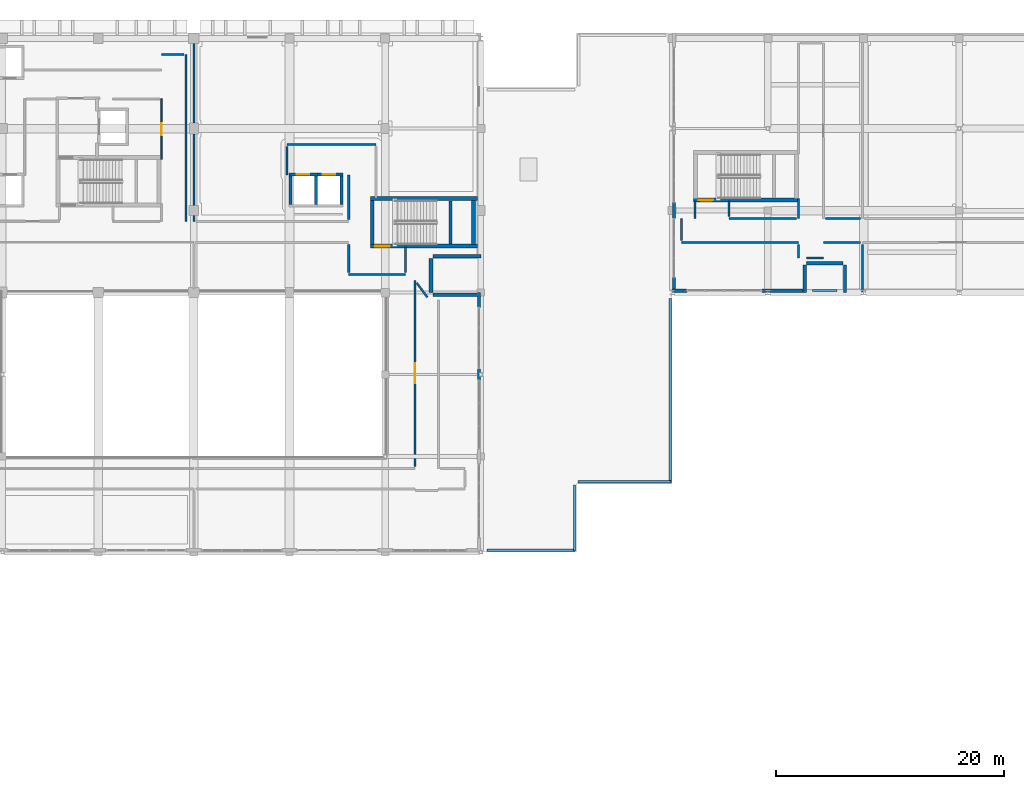
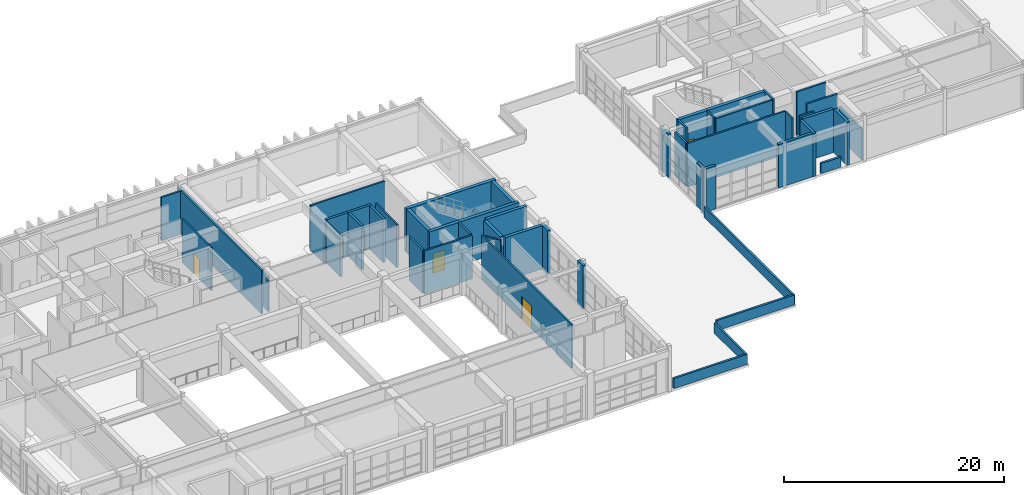
# One storey, part 65 of 78: 51 walls, 6 doors, 6 openings.
"""IFC4 building model written with IfcOpenShell, lengths in metres."""

import ifcopenshell
import ifcopenshell.guid

model = None  # the IFC model being written
_history = None  # IfcOwnerHistory: only IFC2X3 demands one
_inside = {}  # id of a spatial element -> (the spatial element, [elements in it])
_under = {}  # id of a project, library or spatial element -> (it, [spatial elements below it])
_declared = {}  # id of a project -> (the project, [libraries it declares])
_typed = {}  # id of a type object -> (the type object, [elements of that type])
_made_of = {}  # id of a material, layer set ... -> (it, [elements and type objects made of it])


def new_model(schema):
    """Start an empty IFC model of exactly this schema.

    Asked for "IFC4X3", IfcOpenShell would pick the latest addendum, in which some entities
    have other attributes; the version numbers below select the first issue.
    IFC2X3 requires an IfcOwnerHistory on every rooted entity: one is made here for all.
    """
    global model, _history
    if schema == "IFC4X3":
        model = ifcopenshell.file(schema_version=(4, 3, 0, 0))
    else:
        model = ifcopenshell.file(schema=schema)
    _inside.clear()
    _under.clear()
    _declared.clear()
    _typed.clear()
    _made_of.clear()
    _history = None
    if model.schema == "IFC2X3":
        org = make("IfcOrganization", Name="unknown")
        user = make(
            "IfcPersonAndOrganization",
            ThePerson=make("IfcPerson", FamilyName="unknown"),
            TheOrganization=org,
        )
        app = make(
            "IfcApplication",
            ApplicationDeveloper=org,
            Version="unknown",
            ApplicationFullName="unknown",
            ApplicationIdentifier="unknown",
        )
        _history = make(
            "IfcOwnerHistory",
            OwningUser=user,
            OwningApplication=app,
            ChangeAction="ADDED",
            CreationDate=0,
        )
    return model


def make(cls, **values):
    """One entity of the class cls with the attributes given. An attribute that is None is left unset."""
    return model.create_entity(
        cls, **{name: value for name, value in values.items() if value is not None}
    )


def rooted(cls, **values):
    """An entity with a GlobalId (a new one), such as an element, a storey or a relation."""
    return make(cls, GlobalId=ifcopenshell.guid.new(), OwnerHistory=_history, **values)


def si_unit(unit_type, name, prefix=None):
    """IfcSIUnit, for example si_unit("LENGTHUNIT", "METRE", prefix="MILLI")."""
    return make("IfcSIUnit", UnitType=unit_type, Prefix=prefix, Name=name)


def assignment(units):
    """IfcUnitAssignment: the units of a project."""
    return None if units is None else make("IfcUnitAssignment", Units=units)


def point(xyz):
    """IfcCartesianPoint."""
    return None if xyz is None else make("IfcCartesianPoint", Coordinates=xyz)


def direction(xyz):
    """IfcDirection."""
    return None if xyz is None else make("IfcDirection", DirectionRatios=xyz)


def frame(location, z_axis=None, x_axis=None):
    """IfcAxis2Placement3D, a coordinate frame: its origin and axes. An axis left out is left unset."""
    return make(
        "IfcAxis2Placement3D",
        Location=point(location),
        Axis=direction(z_axis),
        RefDirection=direction(x_axis),
    )


def frame_2d(location, x_axis=None):
    """IfcAxis2Placement2D, a coordinate frame in the plane: its origin and x axis."""
    return make(
        "IfcAxis2Placement2D", Location=point(location), RefDirection=direction(x_axis)
    )


def origin():
    """The frame at (0, 0, 0) with its axes left unset."""
    return frame((0.0, 0.0, 0.0))


def place(relative_to, where):
    """IfcLocalPlacement: puts the frame where relative to a parent placement (None: the world)."""
    return make(
        "IfcLocalPlacement", PlacementRelTo=relative_to, RelativePlacement=where
    )


def context(
    kind, dimensions, precision=None, world=None, true_north=None, identifier=None
):
    """IfcGeometricRepresentationContext, for example the 3D "Model" context."""
    return make(
        "IfcGeometricRepresentationContext",
        ContextIdentifier=identifier,
        ContextType=kind,
        CoordinateSpaceDimension=dimensions,
        Precision=precision,
        WorldCoordinateSystem=world,
        TrueNorth=true_north,
    )


def subcontext(parent, identifier, kind, view, scale=None):
    """IfcGeometricRepresentationSubContext, for example "Body" below "Model"."""
    return make(
        "IfcGeometricRepresentationSubContext",
        ContextIdentifier=identifier,
        ContextType=kind,
        ParentContext=parent,
        TargetScale=scale,
        TargetView=view,
    )


def project(units=None, contexts=None):
    """IfcProject with its units and contexts."""
    return rooted(
        "IfcProject",
        Name="project",
        RepresentationContexts=contexts,
        UnitsInContext=assignment(units),
    )


def spatial(cls, under=None, at=None, **own):
    """A site, building, storey or space (cls), placed at a placement, below another one or the project."""
    s = rooted(cls, ObjectPlacement=at, **own)
    if under is not None:
        _under.setdefault(under.id(), (under, []))[1].append(s)
    return s


def profile(cls, at=None, kind="AREA", **sizes):
    """A parametric profile (cls). Its sizes go by their IFC names, for example OverallWidth=200.0."""
    return make(cls, ProfileType=kind, Position=at, **sizes)


def rectangle(**sizes):
    """IfcRectangleProfileDef."""
    return profile("IfcRectangleProfileDef", **sizes)


def extrude(swept, where, along, depth):
    """IfcExtrudedAreaSolid: the profile swept, set in the frame where, extruded along a direction by depth."""
    return make(
        "IfcExtrudedAreaSolid",
        SweptArea=swept,
        Position=where,
        ExtrudedDirection=direction(along),
        Depth=depth,
    )


def shape(context_of_items, identifier, shape_type, items):
    """IfcShapeRepresentation: the items that make up one representation, for example the "Body"."""
    return make(
        "IfcShapeRepresentation",
        ContextOfItems=context_of_items,
        RepresentationIdentifier=identifier,
        RepresentationType=shape_type,
        Items=items,
    )


def material(Name=None, Category=None):
    """IfcMaterial."""
    return make("IfcMaterial", Name=Name, Category=Category)


def layer(
    of_material, thickness, ventilated=None, Name=None, Category=None, Priority=None
):
    """IfcMaterialLayer: one layer of a wall or slab, of a material (None: an air gap)."""
    return make(
        "IfcMaterialLayer",
        Material=of_material,
        LayerThickness=thickness,
        IsVentilated=ventilated,
        Name=Name,
        Category=Category,
        Priority=Priority,
    )


def layer_set(layers, Name=None):
    """IfcMaterialLayerSet."""
    return make("IfcMaterialLayerSet", MaterialLayers=layers, LayerSetName=Name)


def made_of(thing, what):
    """Note that an element or type object is made of a material, layer set ...; save() writes the relation."""
    if what is not None:
        _made_of.setdefault(what.id(), (what, []))[1].append(thing)
    return thing


def type_object(cls, material=None, **own):
    """A type object (cls), such as IfcWallType, which elements share."""
    return made_of(rooted(cls, **own), material)


def element(
    cls,
    number,
    at=None,
    inside=None,
    cuts=None,
    type_object=None,
    material=None,
    context=None,
    identifier="Body",
    shape_type=None,
    held_by="IfcProductDefinitionShape",
    body=None,
    shapes=None,
    **own,
):
    """One element of the class cls, such as IfcWall. Its Tag is "e" and its number.

    at: its placement. inside: the storey or other place that contains it. cuts: it is an
    opening in that element (IfcRelVoidsElement). A single representation is given by context,
    identifier, shape_type and body (its items); several are given by shapes. held_by: the class
    of the entity that holds the representations. save() writes the other relations.
    """
    e = rooted(cls, Tag="e%d" % number, ObjectPlacement=at, **own)
    if body is not None:
        shapes = [shape(context, identifier, shape_type, body)]
    if shapes is not None:
        e.Representation = make(held_by, Representations=shapes)
    if inside is not None:
        _inside.setdefault(inside.id(), (inside, []))[1].append(e)
    if cuts is not None:
        rooted(
            "IfcRelVoidsElement", RelatingBuildingElement=cuts, RelatedOpeningElement=e
        )
    if type_object is not None:
        _typed.setdefault(type_object.id(), (type_object, []))[1].append(e)
    return made_of(e, material)


def fill(opening, filler):
    """IfcRelFillsElement: the door or window that sits in an opening."""
    return rooted(
        "IfcRelFillsElement",
        RelatingOpeningElement=opening,
        RelatedBuildingElement=filler,
    )


def aggregate(whole, parts):
    """IfcRelAggregates: a whole, such as a stair, and the parts it consists of."""
    return rooted("IfcRelAggregates", RelatingObject=whole, RelatedObjects=parts)


def save(model, path):
    """Write the relations noted so far, then the file.

    IfcRelAggregates (storeys below a building ...), IfcRelContainedInSpatialStructure (elements
    in a storey), IfcRelDefinesByType, IfcRelAssociatesMaterial and IfcRelDeclares: one each for
    every whole, place, type object, material and project.
    """
    for whole, parts in _under.values():
        aggregate(whole, parts)
    for where, things in _inside.values():
        rooted(
            "IfcRelContainedInSpatialStructure",
            RelatedElements=things,
            RelatingStructure=where,
        )
    for kind, things in _typed.values():
        rooted("IfcRelDefinesByType", RelatedObjects=things, RelatingType=kind)
    for what, things in _made_of.values():
        rooted("IfcRelAssociatesMaterial", RelatedObjects=things, RelatingMaterial=what)
    for by, libraries in _declared.values():
        rooted("IfcRelDeclares", RelatingContext=by, RelatedDefinitions=libraries)
    model.write(path)


model = new_model("IFC4")

# Units and contexts
model_context = context("Model", 3, precision=1e-05, world=origin(), true_north=direction((0.0, 1.0)))
body_context = subcontext(model_context, "Body", "Model", "MODEL_VIEW")
ifc_project = project(units=[si_unit("LENGTHUNIT", "METRE"), si_unit("AREAUNIT", "SQUARE_METRE"), si_unit("VOLUMEUNIT", "CUBIC_METRE"), si_unit("PLANEANGLEUNIT", "RADIAN"), si_unit("MASSUNIT", "GRAM", prefix="KILO")], contexts=[model_context])

# Site, building, storey
site_placement = place(None, origin())
site = spatial("IfcSite", under=ifc_project, at=site_placement, CompositionType="ELEMENT")
building_placement = place(site_placement, origin())
building = spatial("IfcBuilding", under=site, at=building_placement, Name="Quendrovan Civic Courthouse", CompositionType="ELEMENT")
storey_placement = place(building_placement, frame((0.0, 0.0, 10.199951171875)))
storey = spatial("IfcBuildingStorey", under=building, at=storey_placement, Name="L03", CompositionType="ELEMENT", Elevation=10.199951171875)

# Wall, opening, door
ifc_material_1 = material(Name="Acoustic gypsum stud partition")
ifc_layer_1 = layer(ifc_material_1, 0.139892578125, Name="Acoustic gypsum stud partition")
ifc_layer_set_1 = layer_set([ifc_layer_1], Name="Acoustic gypsum stud partition")
wall_type_1 = type_object("IfcWallType", Name="WL-CHM-140", PredefinedType="PARTITIONING", material=ifc_layer_set_1)
wall_1_placement = place(storey_placement, frame((64.35009765625, 104.60009765625, 0.0), z_axis=(0.0, 0.0, 1.0), x_axis=(0.0, -1.0, 0.0)))
wall_1 = element("IfcWall", 1, at=wall_1_placement, inside=storey, type_object=wall_type_1, Name="L03 Judges' Chambers Suite Partition 0455", PredefinedType="PARTITIONING", context=body_context, shape_type="SweptSolid", body=[
    extrude(rectangle(XDim=5.300048828125, YDim=0.139892578125, at=frame_2d((2.64990234375, 0.0))), origin(), (0.0, 0.0, 1.0), 4.820068359375),
])
opening_1_placement = place(wall_1_placement, frame((2.1298828125, 0.0, 0.0)))
opening_1 = element("IfcOpeningElement", 2, at=opening_1_placement, cuts=wall_1, Name="Opening D-L03-074", PredefinedType="OPENING", context=body_context, shape_type="SweptSolid", body=[
    extrude(rectangle(XDim=1.0400390625, YDim=2.260009765625, at=frame_2d((0.52001953125, 1.1298828125))), frame((0.0, 0.080078125, 0.0), z_axis=(0.0, -1.0, 0.0), x_axis=(1.0, 0.0, 0.0)), (0.0, 0.0, 1.0), 0.159912109375),
])
ifc_material_2 = material(Name="Solid Western Red Cedar timber door", Category="wood")
door_type_1 = type_object("IfcDoorType", Name="DR-CHM-1040", OperationType="NOTDEFINED", PredefinedType="DOOR", material=ifc_material_2)
door_1_placement = place(opening_1_placement, origin())
door_1 = element("IfcDoor", 3, at=door_1_placement, inside=storey, type_object=door_type_1, Name="L03 Judges' Chambers Suite Door D-L03-074", OperationType="SINGLE_SWING_LEFT", OverallHeight=2.260009765625, OverallWidth=1.0400390625, PredefinedType="DOOR", context=body_context, shape_type="SweptSolid", body=[
    extrude(rectangle(XDim=1.0400390625, YDim=2.260009765625, at=frame_2d((0.52001953125, 1.1298828125))), frame((0.0, 0.02490234375, 0.0), z_axis=(0.0, -1.0, 0.0), x_axis=(1.0, 0.0, 0.0)), (0.0, 0.0, 1.0), 0.050048828125),
])
fill(opening_1, door_1)

ifc_material_3 = material(Name="Concrete C45/55", Category="concrete")
ifc_layer_2 = layer(ifc_material_3, 0.35009765625, Name="Concrete C45/55")
ifc_layer_set_2 = layer_set([ifc_layer_2], Name="Concrete C45/55")
wall_type_2 = type_object("IfcWallType", Name="WL-CORE-350", PredefinedType="SHEAR", material=ifc_layer_set_2)
wall_2_placement = place(storey_placement, frame((82.68994140625, 91.6650390625, 0.0), z_axis=(0.0, 0.0, 1.0), x_axis=(1.0, 0.0, 0.0)))
wall_2 = element("IfcWall", 4, at=wall_2_placement, inside=storey, type_object=wall_type_2, Name="L03 Core Shear Wall ST3-S", PredefinedType="SHEAR", context=body_context, shape_type="SweptSolid", body=[
    extrude(rectangle(XDim=9.41015625, YDim=0.35009765625, at=frame_2d((4.705078125, 0.0))), origin(), (0.0, 0.0, 1.0), 4.820068359375),
])
opening_2_placement = place(wall_2_placement, frame((0.449951171875, 0.0, 0.0)))
opening_2 = element("IfcOpeningElement", 5, at=opening_2_placement, cuts=wall_2, Name="Opening DS-ST3-L03", PredefinedType="OPENING", context=body_context, shape_type="SweptSolid", body=[
    extrude(rectangle(XDim=1.25, YDim=2.199951171875, at=frame_2d((0.625, 1.10009765625))), frame((0.0, 0.18505859375, 0.0), z_axis=(0.0, -1.0, 0.0), x_axis=(1.0, 0.0, 0.0)), (0.0, 0.0, 1.0), 0.3701171875),
])
ifc_material_4 = material(Name="Painted galvanized hollow-metal steel", Category="steel")
door_type_2 = type_object("IfcDoorType", Name="DR-STAIR-1250", OperationType="NOTDEFINED", PredefinedType="DOOR", material=ifc_material_4)
door_2_placement = place(opening_2_placement, origin())
door_2 = element("IfcDoor", 6, at=door_2_placement, inside=storey, type_object=door_type_2, Name="L03 Exit Stair ST3 Fire Door", OperationType="SINGLE_SWING_LEFT", OverallHeight=2.199951171875, OverallWidth=1.25, PredefinedType="DOOR", context=body_context, shape_type="SweptSolid", body=[
    extrude(rectangle(XDim=1.25, YDim=2.199951171875, at=frame_2d((0.625, 1.10009765625))), frame((0.0, 0.02490234375, 0.0), z_axis=(0.0, -1.0, 0.0), x_axis=(1.0, 0.0, 0.0)), (0.0, 0.0, 1.0), 0.050048828125),
])
fill(opening_2, door_2)

# Walls
wall_3_placement = place(storey_placement, frame((92.10009765625, 95.8349609375, 0.0), z_axis=(0.0, 0.0, 1.0), x_axis=(-1.0, 0.0, 0.0)))
element("IfcWall", 7, at=wall_3_placement, inside=storey, type_object=wall_type_2, Name="L03 Core Shear Wall ST3-N", PredefinedType="SHEAR", context=body_context, shape_type="SweptSolid", body=[
    extrude(rectangle(XDim=9.41015625, YDim=0.35009765625, at=frame_2d((4.705078125, 0.0))), origin(), (0.0, 0.0, 1.0), 4.820068359375),
])
for number, where, z_axis, x_axis, name in (
    (8, (82.864990234375, 91.800048828125, 0.0), (0.0, 0.0, 1.0), (0.0, 1.0, 0.0), "L03 Core Shear Wall ST3-W"),
    (9, (91.735107421875, 95.699951171875, 0.0), (0.0, 0.0, 1.0), (0.0, -1.0, 0.0), "L03 Core Shear Wall ST3-E"),
):
    element("IfcWall", number, at=place(storey_placement, frame(where, z_axis=z_axis, x_axis=x_axis)), inside=storey, type_object=wall_type_2, Name=name, PredefinedType="SHEAR", context=body_context, shape_type="SweptSolid", body=[
        extrude(rectangle(XDim=3.89990234375, YDim=0.35009765625, at=frame_2d((1.949951171875, 0.0))), origin(), (0.0, 0.0, 1.0), 4.820068359375),
    ])

# Wall, opening, door
wall_4_placement = place(storey_placement, frame((111.090087890625, 95.715087890625, 0.0), z_axis=(0.0, 0.0, 1.0), x_axis=(1.0, 0.0, 0.0)))
wall_4 = element("IfcWall", 10, at=wall_4_placement, inside=storey, type_object=wall_type_2, Name="L03 Core Shear Wall ST6-S", PredefinedType="SHEAR", context=body_context, shape_type="SweptSolid", body=[
    extrude(rectangle(XDim=9.219970703125, YDim=0.35009765625, at=frame_2d((4.60986328125, 0.0))), origin(), (0.0, 0.0, 1.0), 4.820068359375),
])
opening_3_placement = place(wall_4_placement, frame((0.449951171875, 0.0, 0.0)))
opening_3 = element("IfcOpeningElement", 11, at=opening_3_placement, cuts=wall_4, Name="Opening DS-ST6-L03", PredefinedType="OPENING", context=body_context, shape_type="SweptSolid", body=[
    extrude(rectangle(XDim=1.25, YDim=2.199951171875, at=frame_2d((0.625, 1.10009765625))), frame((0.0, 0.18505859375, 0.0), z_axis=(0.0, -1.0, 0.0), x_axis=(1.0, 0.0, 0.0)), (0.0, 0.0, 1.0), 0.3701171875),
])
door_3_placement = place(opening_3_placement, origin())
door_3 = element("IfcDoor", 12, at=door_3_placement, inside=storey, type_object=door_type_2, Name="L03 Exit Stair ST6 Fire Door", OperationType="SINGLE_SWING_LEFT", OverallHeight=2.199951171875, OverallWidth=1.25, PredefinedType="DOOR", context=body_context, shape_type="SweptSolid", body=[
    extrude(rectangle(XDim=1.25, YDim=2.199951171875, at=frame_2d((0.625, 1.10009765625))), frame((0.0, 0.02490234375, 0.0), z_axis=(0.0, -1.0, 0.0), x_axis=(1.0, 0.0, 0.0)), (0.0, 0.0, 1.0), 0.050048828125),
])
fill(opening_3, door_3)

ifc_material_5 = material(Name="Acoustic gypsum and mineral wool partition")
ifc_layer_3 = layer(ifc_material_5, 0.179931640625, Name="Acoustic gypsum and mineral wool partition")
ifc_layer_set_3 = layer_set([ifc_layer_3], Name="Acoustic gypsum and mineral wool partition")
wall_type_3 = type_object("IfcWallType", Name="WL-CRT-AC180", PredefinedType="PARTITIONING", material=ifc_layer_set_3)
wall_5_placement = place(storey_placement, frame((86.60009765625, 88.669921875, 0.0), z_axis=(0.0, 0.0, 1.0), x_axis=(0.0, -1.0, 0.0)))
wall_5 = element("IfcWall", 13, at=wall_5_placement, inside=storey, type_object=wall_type_3, Name="L03 Civil Courtroom Partition 0435", PredefinedType="PARTITIONING", context=body_context, shape_type="SweptSolid", body=[
    extrude(rectangle(XDim=16.349853515625, YDim=0.179931640625, at=frame_2d((8.1748046875, 0.0))), origin(), (0.0, 0.0, 1.0), 4.820068359375),
])
opening_4_placement = place(wall_5_placement, frame((7.294921875, 0.0, 0.0)))
opening_4 = element("IfcOpeningElement", 14, at=opening_4_placement, cuts=wall_5, Name="Opening D-L03-069", PredefinedType="OPENING", context=body_context, shape_type="SweptSolid", body=[
    extrude(rectangle(XDim=1.760009765625, YDim=2.47998046875, at=frame_2d((0.8798828125, 1.239990234375))), frame((0.0, 0.10009765625, 0.0), z_axis=(0.0, -1.0, 0.0), x_axis=(1.0, 0.0, 0.0)), (0.0, 0.0, 1.0), 0.199951171875),
])
ifc_material_6 = material(Name="Acoustic solid Western Red Cedar timber door", Category="wood")
door_type_3 = type_object("IfcDoorType", Name="DR-CRT-DBL1760", OperationType="NOTDEFINED", PredefinedType="DOOR", material=ifc_material_6)
door_4_placement = place(opening_4_placement, origin())
door_4 = element("IfcDoor", 15, at=door_4_placement, inside=storey, type_object=door_type_3, Name="L03 Civil Courtroom Door D-L03-069", OperationType="SINGLE_SWING_RIGHT", OverallHeight=2.47998046875, OverallWidth=1.760009765625, PredefinedType="DOOR", context=body_context, shape_type="SweptSolid", body=[
    extrude(rectangle(XDim=1.760009765625, YDim=2.47998046875, at=frame_2d((0.8798828125, 1.239990234375))), frame((0.0, 0.02490234375, 0.0), z_axis=(0.0, -1.0, 0.0), x_axis=(1.0, 0.0, 0.0)), (0.0, 0.0, 1.0), 0.050048828125),
])
fill(opening_4, door_4)

# Walls
wall_6_placement = place(storey_placement, frame((67.199951171875, 110.340087890625, 0.0), z_axis=(0.0, 0.0, 1.0), x_axis=(0.0, -1.0, 0.0)))
element("IfcWall", 16, at=wall_6_placement, inside=storey, type_object=wall_type_3, Name="L03 Criminal Courtroom Partition 0436", PredefinedType="PARTITIONING", context=body_context, shape_type="SweptSolid", body=[
    extrude(rectangle(XDim=16.489990234375, YDim=0.179931640625, at=frame_2d((8.2451171875, 0.0))), origin(), (0.0, 0.0, 1.0), 3.85009765625),
])
wall_7_placement = place(storey_placement, frame((120.300048828125, 95.85009765625, 0.0), z_axis=(0.0, 0.0, 1.0), x_axis=(0.0, -1.0, 0.0)))
element("IfcWall", 17, at=wall_7_placement, inside=storey, type_object=wall_type_3, Name="L03 Witness Waiting Room Partition 0443", PredefinedType="PARTITIONING", context=body_context, shape_type="SweptSolid", body=[
    extrude(rectangle(XDim=1.75, YDim=0.179931640625, at=frame_2d((0.875, 0.0))), origin(), (0.0, 0.0, 1.0), 4.820068359375),
])
wall_8_placement = place(storey_placement, frame((66.5, 93.85009765625, 0.0), z_axis=(0.0, 0.0, 1.0), x_axis=(0.0, 1.0, 0.0)))
element("IfcWall", 18, at=wall_8_placement, inside=storey, type_object=wall_type_3, Name="L03 Criminal Courtroom Partition 0445", PredefinedType="PARTITIONING", context=body_context, shape_type="SweptSolid", body=[
    extrude(rectangle(XDim=14.64990234375, YDim=0.179931640625, at=frame_2d((7.324951171875, 0.0))), origin(), (0.0, 0.0, 1.0), 4.820068359375),
])
wall_9_placement = place(storey_placement, frame((110.0, 92.0, 0.0), z_axis=(0.0, 0.0, 1.0), x_axis=(1.0, 0.0, 0.0)))
element("IfcWall", 19, at=wall_9_placement, inside=storey, type_object=wall_type_3, Name="L03 Witness Waiting Room Partition 0457", PredefinedType="PARTITIONING", context=body_context, shape_type="SweptSolid", body=[
    extrude(rectangle(XDim=10.300048828125, YDim=0.179931640625, at=frame_2d((5.14990234375, 0.0))), origin(), (0.0, 0.0, 1.0), 4.820068359375),
])
wall_10_placement = place(storey_placement, frame((83.199951171875, 100.60009765625, 0.0), z_axis=(0.0, 0.0, 1.0), x_axis=(-1.0, 0.0, 0.0)))
element("IfcWall", 20, at=wall_10_placement, inside=storey, type_object=wall_type_3, Name="L03 Civil Courtroom Partition 0462", PredefinedType="PARTITIONING", context=body_context, shape_type="SweptSolid", body=[
    extrude(rectangle(XDim=7.800048828125, YDim=0.179931640625, at=frame_2d((3.89990234375, 0.0))), origin(), (0.0, 0.0, 1.0), 4.820068359375),
])
wall_11_placement = place(storey_placement, frame((120.1298828125, 94.10009765625, 0.0), z_axis=(0.0, 0.0, 1.0), x_axis=(-1.0, 0.0, 0.0)))
element("IfcWall", 21, at=wall_11_placement, inside=storey, type_object=wall_type_3, Name="L03 Witness Waiting Room Partition 0472", PredefinedType="PARTITIONING", context=body_context, shape_type="SweptSolid", body=[
    extrude(rectangle(XDim=5.929931640625, YDim=0.179931640625, at=frame_2d((2.96484375, 0.0))), origin(), (0.0, 0.0, 1.0), 4.820068359375),
])
wall_12_placement = place(storey_placement, frame((80.800048828125, 89.199951171875, 0.0), z_axis=(0.0, 0.0, 1.0), x_axis=(1.0, 0.0, 0.0)))
element("IfcWall", 22, at=wall_12_placement, inside=storey, type_object=wall_type_3, Name="L03 Civil Courtroom Partition 0479", PredefinedType="PARTITIONING", context=body_context, shape_type="SweptSolid", body=[
    extrude(rectangle(XDim=5.0, YDim=0.179931640625, at=frame_2d((2.5, 0.0))), origin(), (0.0, 0.0, 1.0), 4.820068359375),
])
wall_13_placement = place(storey_placement, frame((125.89990234375, 91.830078125, 0.0), z_axis=(0.0, 0.0, 1.0), x_axis=(0.0, -1.0, 0.0)))
element("IfcWall", 23, at=wall_13_placement, inside=storey, type_object=wall_type_3, Name="L03 Witness Waiting Room Partition 0486", PredefinedType="PARTITIONING", context=body_context, shape_type="SweptSolid", body=[
    extrude(rectangle(XDim=4.170166015625, YDim=0.179931640625, at=frame_2d((2.0849609375, 0.0))), origin(), (0.0, 0.0, 1.0), 3.449951171875),
])
wall_14_placement = place(storey_placement, frame((80.800048828125, 97.89990234375, 0.0), z_axis=(0.0, 0.0, 1.0), x_axis=(0.0, -1.0, 0.0)))
element("IfcWall", 24, at=wall_14_placement, inside=storey, type_object=wall_type_3, Name="L03 Civil Courtroom Partition 0491", PredefinedType="PARTITIONING", context=body_context, shape_type="SweptSolid", body=[
    extrude(rectangle(XDim=3.8798828125, YDim=0.179931640625, at=frame_2d((1.93994140625, 0.0))), origin(), (0.0, 0.0, 1.0), 4.820068359375),
])
wall_15_placement = place(storey_placement, frame((125.72998046875, 94.10009765625, 0.0), z_axis=(0.0, 0.0, 1.0), x_axis=(-1.0, 0.0, 0.0)))
element("IfcWall", 25, at=wall_15_placement, inside=storey, type_object=wall_type_3, Name="L03 Witness Waiting Room Partition 0496", PredefinedType="PARTITIONING", context=body_context, shape_type="SweptSolid", body=[
    extrude(rectangle(XDim=3.06005859375, YDim=0.179931640625, at=frame_2d((1.530029296875, 0.0))), origin(), (0.0, 0.0, 1.0), 4.820068359375),
])
wall_16_placement = place(storey_placement, frame((122.5, 92.0, 0.0), z_axis=(0.0, 0.0, 1.0), x_axis=(1.0, 0.0, 0.0)))
element("IfcWall", 26, at=wall_16_placement, inside=storey, type_object=wall_type_3, Name="L03 Witness Waiting Room Partition 0497", PredefinedType="PARTITIONING", context=body_context, shape_type="SweptSolid", body=[
    extrude(rectangle(XDim=3.22998046875, YDim=0.179931640625, at=frame_2d((1.614990234375, 0.0))), origin(), (0.0, 0.0, 1.0), 4.820068359375),
])
wall_17_placement = place(storey_placement, frame((80.800048828125, 91.830078125, 0.0), z_axis=(0.0, 0.0, 1.0), x_axis=(0.0, -1.0, 0.0)))
element("IfcWall", 27, at=wall_17_placement, inside=storey, type_object=wall_type_3, Name="L03 Civil Courtroom Partition 0507", PredefinedType="PARTITIONING", context=body_context, shape_type="SweptSolid", body=[
    extrude(rectangle(XDim=2.4599609375, YDim=0.179931640625, at=frame_2d((1.22998046875, 0.0))), origin(), (0.0, 0.0, 1.0), 4.820068359375),
])
wall_18_placement = place(storey_placement, frame((75.39990234375, 100.429931640625, 0.0), z_axis=(0.0, 0.0, 1.0), x_axis=(0.0, -1.0, 0.0)))
element("IfcWall", 28, at=wall_18_placement, inside=storey, type_object=wall_type_3, Name="L03 Civil Courtroom Partition 0511", PredefinedType="PARTITIONING", context=body_context, shape_type="SweptSolid", body=[
    extrude(rectangle(XDim=2.530029296875, YDim=0.179931640625, at=frame_2d((1.26513671875, 0.0))), origin(), (0.0, 0.0, 1.0), 3.449951171875),
])
wall_19_placement = place(storey_placement, frame((85.800048828125, 89.3701171875, 0.0), z_axis=(0.0, 0.0, 1.0), x_axis=(0.0, 1.0, 0.0)))
element("IfcWall", 29, at=wall_19_placement, inside=storey, type_object=wall_type_3, Name="L03 Civil Courtroom Partition 0514", PredefinedType="PARTITIONING", context=body_context, shape_type="SweptSolid", body=[
    extrude(rectangle(XDim=2.2099609375, YDim=0.179931640625, at=frame_2d((1.10498046875, 0.0))), origin(), (0.0, 0.0, 1.0), 4.820068359375),
])
wall_20_placement = place(storey_placement, frame((66.330078125, 108.5, 0.0), z_axis=(0.0, 0.0, 1.0), x_axis=(-1.0, 0.0, 0.0)))
element("IfcWall", 30, at=wall_20_placement, inside=storey, type_object=wall_type_3, Name="L03 Criminal Courtroom Partition 0520", PredefinedType="PARTITIONING", context=body_context, shape_type="SweptSolid", body=[
    extrude(rectangle(XDim=1.97998046875, YDim=0.179931640625, at=frame_2d((0.989990234375, 0.0))), origin(), (0.0, 0.0, 1.0), 4.820068359375),
])
wall_21_placement = place(storey_placement, frame((110.0, 94.10009765625, 0.0), z_axis=(0.0, 0.0, 1.0), x_axis=(0.0, -1.0, 0.0)))
element("IfcWall", 31, at=wall_21_placement, inside=storey, type_object=wall_type_3, Name="L03 Witness Waiting Room Partition 0524", PredefinedType="PARTITIONING", context=body_context, shape_type="SweptSolid", body=[
    extrude(rectangle(XDim=1.93017578125, YDim=0.179931640625, at=frame_2d((0.965087890625, 0.0))), origin(), (0.0, 0.0, 1.0), 4.820068359375),
])
wall_22_placement = place(storey_placement, frame((87.699951171875, 87.18994140625, 0.0), z_axis=(0.0, 0.0, 1.0), x_axis=(-0.596436431058, 0.802660316514, 0.0)))
element("IfcWall", 32, at=wall_22_placement, inside=storey, type_object=wall_type_3, Name="L03 Civil Courtroom Partition 0529", PredefinedType="PARTITIONING", context=body_context, shape_type="SweptSolid", body=[
    extrude(rectangle(XDim=1.55908203125, YDim=0.179931640625, at=frame_2d((0.779541015625, 0.0))), origin(), (0.0, 0.0, 1.0), 4.820068359375),
])
wall_23_placement = place(storey_placement, frame((114.199951171875, 94.27001953125, 0.0), z_axis=(0.0, 0.0, 1.0), x_axis=(0.0, 1.0, 0.0)))
element("IfcWall", 33, at=wall_23_placement, inside=storey, type_object=wall_type_3, Name="L03 Witness Waiting Room Partition 0533", PredefinedType="PARTITIONING", context=body_context, shape_type="SweptSolid", body=[
    extrude(rectangle(XDim=1.35986328125, YDim=0.179931640625, at=frame_2d((0.679931640625, 0.0))), origin(), (0.0, 0.0, 1.0), 4.820068359375),
])
wall_24_placement = place(storey_placement, frame((111.199951171875, 95.6298828125, 0.0), z_axis=(0.0, 0.0, 1.0), x_axis=(0.0, -1.0, 0.0)))
element("IfcWall", 34, at=wall_24_placement, inside=storey, type_object=wall_type_3, Name="L03 Witness Waiting Room Partition 0534", PredefinedType="PARTITIONING", context=body_context, shape_type="SweptSolid", body=[
    extrude(rectangle(XDim=1.52978515625, YDim=0.179931640625, at=frame_2d((0.764892578125, 0.0))), origin(), (0.0, 0.0, 1.0), 4.820068359375),
])
wall_25_placement = place(storey_placement, frame((121.0, 90.64990234375, 0.0), z_axis=(0.0, 0.0, 1.0), x_axis=(1.0, 0.0, 0.0)))
element("IfcWall", 35, at=wall_25_placement, inside=storey, type_object=wall_type_3, Name="L03 Witness Waiting Room Partition 0535", PredefinedType="PARTITIONING", context=body_context, shape_type="SweptSolid", body=[
    extrude(rectangle(XDim=1.5, YDim=0.179931640625, at=frame_2d((0.75, 0.0))), origin(), (0.0, 0.0, 1.0), 4.820068359375),
])
wall_26_placement = place(storey_placement, frame((120.300048828125, 91.830078125, 0.0), z_axis=(0.0, 0.0, 1.0), x_axis=(0.0, -1.0, 0.0)))
element("IfcWall", 36, at=wall_26_placement, inside=storey, type_object=wall_type_3, Name="L03 Witness Waiting Room Partition 0537", PredefinedType="PARTITIONING", context=body_context, shape_type="SweptSolid", body=[
    extrude(rectangle(XDim=1.2099609375, YDim=0.179931640625, at=frame_2d((0.60498046875, 0.0))), origin(), (0.0, 0.0, 1.0), 4.820068359375),
])
ifc_material_7 = material(Name="Precast concrete C45/55", Category="concrete")
ifc_layer_4 = layer(ifc_material_7, 0.2900390625, Name="Precast concrete C45/55")
ifc_layer_set_4 = layer_set([ifc_layer_4], Name="Precast concrete C45/55")
wall_type_4 = type_object("IfcWallType", Name="WL-EXT-PC290", PredefinedType="SOLIDWALL", material=ifc_layer_set_4)
wall_27_placement = place(storey_placement, frame((92.235107421875, 87.60009765625, 0.0), z_axis=(0.0, 0.0, 1.0), x_axis=(0.0, -1.0, 0.0)))
element("IfcWall", 37, at=wall_27_placement, inside=storey, type_object=wall_type_4, Name="L03 Exterior Pier Wall 293", PredefinedType="SOLIDWALL", context=body_context, shape_type="SweptSolid", body=[
    extrude(rectangle(XDim=1.300048828125, YDim=0.2900390625, at=frame_2d((0.64990234375, 0.0))), origin(), (0.0, 0.0, 1.0), 4.820068359375),
])
wall_28_placement = place(storey_placement, frame((92.235107421875, 80.89990234375, 0.0), z_axis=(0.0, 0.0, 1.0), x_axis=(0.0, -1.0, 0.0)))
element("IfcWall", 38, at=wall_28_placement, inside=storey, type_object=wall_type_4, Name="L03 Exterior Pier Wall 294", PredefinedType="SOLIDWALL", context=body_context, shape_type="SweptSolid", body=[
    extrude(rectangle(XDim=1.0, YDim=0.2900390625, at=frame_2d((0.5, 0.0))), origin(), (0.0, 0.0, 1.0), 4.820068359375),
])
wall_29_placement = place(storey_placement, frame((124.364990234375, 87.60009765625, 0.0), z_axis=(0.0, 0.0, 1.0), x_axis=(0.0, 1.0, 0.0)))
element("IfcWall", 39, at=wall_29_placement, inside=storey, type_object=wall_type_4, Name="L03 Exterior Civic Portal Wall 315", PredefinedType="SOLIDWALL", context=body_context, shape_type="SweptSolid", body=[
    extrude(rectangle(XDim=2.39990234375, YDim=0.2900390625, at=frame_2d((1.199951171875, 0.0))), origin(), (0.0, 0.0, 1.0), 4.820068359375),
])
wall_30_placement = place(storey_placement, frame((124.199951171875, 90.1650390625, 0.0), z_axis=(0.0, 0.0, 1.0), x_axis=(-1.0, 0.0, 0.0)))
element("IfcWall", 40, at=wall_30_placement, inside=storey, type_object=wall_type_4, Name="L03 Exterior Civic Portal Wall 316", PredefinedType="SOLIDWALL", context=body_context, shape_type="SweptSolid", body=[
    extrude(rectangle(XDim=3.199951171875, YDim=0.2900390625, at=frame_2d((1.60009765625, 0.0))), origin(), (0.0, 0.0, 1.0), 4.820068359375),
])
wall_31_placement = place(storey_placement, frame((120.8349609375, 90.0, 0.0), z_axis=(0.0, 0.0, 1.0), x_axis=(0.0, -1.0, 0.0)))
element("IfcWall", 41, at=wall_31_placement, inside=storey, type_object=wall_type_4, Name="L03 Exterior Civic Portal Wall 317", PredefinedType="SOLIDWALL", context=body_context, shape_type="SweptSolid", body=[
    extrude(rectangle(XDim=2.39990234375, YDim=0.2900390625, at=frame_2d((1.199951171875, 0.0))), origin(), (0.0, 0.0, 1.0), 4.820068359375),
])
wall_32_placement = place(storey_placement, frame((121.0, 87.764892578125, 0.0), z_axis=(0.0, 0.0, 1.0), x_axis=(-1.0, 0.0, 0.0)))
element("IfcWall", 42, at=wall_32_placement, inside=storey, type_object=wall_type_4, Name="L03 Exterior Pier Wall 318", PredefinedType="SOLIDWALL", context=body_context, shape_type="SweptSolid", body=[
    extrude(rectangle(XDim=3.93701171875, YDim=0.2900390625, at=frame_2d((1.968505859375, 0.0))), origin(), (0.0, 0.0, 1.0), 4.820068359375),
])
wall_33_placement = place(storey_placement, frame((110.5, 87.764892578125, 0.0), z_axis=(0.0, 0.0, 1.0), x_axis=(-1.0, 0.0, 0.0)))
element("IfcWall", 43, at=wall_33_placement, inside=storey, type_object=wall_type_4, Name="L03 Exterior Pier Wall 319", PredefinedType="SOLIDWALL", context=body_context, shape_type="SweptSolid", body=[
    extrude(rectangle(XDim=1.300048828125, YDim=0.2900390625, at=frame_2d((0.64990234375, 0.0))), origin(), (0.0, 0.0, 1.0), 4.820068359375),
])
wall_34_placement = place(storey_placement, frame((109.364990234375, 87.60009765625, 0.0), z_axis=(0.0, 0.0, 1.0), x_axis=(0.0, 1.0, 0.0)))
element("IfcWall", 44, at=wall_34_placement, inside=storey, type_object=wall_type_4, Name="L03 Exterior Pier Wall 320", PredefinedType="SOLIDWALL", context=body_context, shape_type="SweptSolid", body=[
    extrude(rectangle(XDim=1.2998046875, YDim=0.2900390625, at=frame_2d((0.64990234375, 0.0))), origin(), (0.0, 0.0, 1.0), 4.820068359375),
])
wall_35_placement = place(storey_placement, frame((109.364990234375, 94.10009765625, 0.0), z_axis=(0.0, 0.0, 1.0), x_axis=(0.0, 1.0, 0.0)))
element("IfcWall", 45, at=wall_35_placement, inside=storey, type_object=wall_type_4, Name="L03 Exterior Pier Wall 321", PredefinedType="SOLIDWALL", context=body_context, shape_type="SweptSolid", body=[
    extrude(rectangle(XDim=1.39990234375, YDim=0.2900390625, at=frame_2d((0.699951171875, 0.0))), origin(), (0.0, 0.0, 1.0), 4.820068359375),
])
ifc_layer_5 = layer(ifc_material_7, 0.320068359375, Name="Precast concrete C45/55")
ifc_layer_set_5 = layer_set([ifc_layer_5], Name="Precast concrete C45/55")
wall_type_5 = type_object("IfcWallType", Name="WL-EXT-PC320", PredefinedType="SOLIDWALL", material=ifc_layer_set_5)
wall_36_placement = place(storey_placement, frame((92.39990234375, 90.780029296875, 0.0), z_axis=(0.0, 0.0, 1.0), x_axis=(-1.0, 0.0, 0.0)))
element("IfcWall", 46, at=wall_36_placement, inside=storey, type_object=wall_type_5, Name="L03 Exterior Precast Concrete Wall 290", PredefinedType="SOLIDWALL", context=body_context, shape_type="SweptSolid", body=[
    extrude(rectangle(XDim=4.199951171875, YDim=0.320068359375, at=frame_2d((2.10009765625, 0.0))), origin(), (0.0, 0.0, 1.0), 4.820068359375),
])
wall_37_placement = place(storey_placement, frame((88.02001953125, 90.60009765625, 0.0), z_axis=(0.0, 0.0, 1.0), x_axis=(0.0, -1.0, 0.0)))
element("IfcWall", 47, at=wall_37_placement, inside=storey, type_object=wall_type_5, Name="L03 Exterior Precast Concrete Wall 291", PredefinedType="SOLIDWALL", context=body_context, shape_type="SweptSolid", body=[
    extrude(rectangle(XDim=3.0, YDim=0.320068359375, at=frame_2d((1.5, 0.0))), origin(), (0.0, 0.0, 1.0), 4.820068359375),
])
wall_38_placement = place(storey_placement, frame((88.199951171875, 87.419921875, 0.0), z_axis=(0.0, 0.0, 1.0), x_axis=(1.0, 0.0, 0.0)))
element("IfcWall", 48, at=wall_38_placement, inside=storey, type_object=wall_type_5, Name="L03 Exterior Precast Concrete Wall 292", PredefinedType="SOLIDWALL", context=body_context, shape_type="SweptSolid", body=[
    extrude(rectangle(XDim=4.199951171875, YDim=0.320068359375, at=frame_2d((2.10009765625, 0.0))), origin(), (0.0, 0.0, 1.0), 4.820068359375),
])
ifc_layer_6 = layer(ifc_material_7, 0.2099609375, Name="Precast concrete C45/55")
ifc_layer_set_6 = layer_set([ifc_layer_6], Name="Precast concrete C45/55")
wall_type_6 = type_object("IfcWallType", Name="WL-PARAPET-210", PredefinedType="PARAPET", material=ifc_layer_set_6)
wall_39_placement = place(storey_placement, frame((109.02001953125, 87.06005859375, 0.0), z_axis=(0.0, 0.0, 1.0), x_axis=(0.0, -1.0, 0.0)))
element("IfcWall", 49, at=wall_39_placement, inside=storey, type_object=wall_type_6, Name="L03 Precast Roof Parapet Wall 33", PredefinedType="PARAPET", context=body_context, shape_type="SweptSolid", body=[
    extrude(rectangle(XDim=16.14013671875, YDim=0.2099609375, at=frame_2d((8.070068359375, 0.0))), origin(), (0.0, 0.0, 1.0), 1.1201171875),
])
wall_40_placement = place(storey_placement, frame((109.080078125, 70.97998046875, 0.0), z_axis=(0.0, 0.0, 1.0), x_axis=(-1.0, 0.0, 0.0)))
element("IfcWall", 50, at=wall_40_placement, inside=storey, type_object=wall_type_6, Name="L03 Precast Roof Parapet Wall 34", PredefinedType="PARAPET", context=body_context, shape_type="SweptSolid", body=[
    extrude(rectangle(XDim=8.16015625, YDim=0.2099609375, at=frame_2d((4.080078125, 0.0))), origin(), (0.0, 0.0, 1.0), 1.1201171875),
])
wall_41_placement = place(storey_placement, frame((100.6201171875, 70.679931640625, 0.0), z_axis=(0.0, 0.0, 1.0), x_axis=(0.0, -1.0, 0.0)))
element("IfcWall", 51, at=wall_41_placement, inside=storey, type_object=wall_type_6, Name="L03 Precast Roof Parapet Wall 35", PredefinedType="PARAPET", context=body_context, shape_type="SweptSolid", body=[
    extrude(rectangle(XDim=5.760009765625, YDim=0.2099609375, at=frame_2d((2.8798828125, 0.0))), origin(), (0.0, 0.0, 1.0), 1.1201171875),
])
wall_42_placement = place(storey_placement, frame((100.679931640625, 64.97998046875, 0.0), z_axis=(0.0, 0.0, 1.0), x_axis=(-1.0, 0.0, 0.0)))
element("IfcWall", 52, at=wall_42_placement, inside=storey, type_object=wall_type_6, Name="L03 Precast Roof Parapet Wall 36", PredefinedType="PARAPET", context=body_context, shape_type="SweptSolid", body=[
    extrude(rectangle(XDim=7.739990234375, YDim=0.2099609375, at=frame_2d((3.8701171875, 0.0))), origin(), (0.0, 0.0, 1.0), 1.1201171875),
])
wall_43_placement = place(storey_placement, frame((123.659912109375, 87.780029296875, 0.0), z_axis=(0.0, 0.0, 1.0), x_axis=(-1.0, 0.0, 0.0)))
element("IfcWall", 53, at=wall_43_placement, inside=storey, type_object=wall_type_6, Name="L03 Precast Roof Parapet Wall 38", PredefinedType="PARAPET", context=body_context, shape_type="SweptSolid", body=[
    extrude(rectangle(XDim=2.119873046875, YDim=0.2099609375, at=frame_2d((1.06005859375, 0.0))), origin(), (0.0, 0.0, 1.0), 1.1201171875),
])
ifc_layer_7 = layer(ifc_material_3, 0.25, Name="Concrete C45/55")
ifc_layer_set_7 = layer_set([ifc_layer_7], Name="Concrete C45/55")
wall_type_7 = type_object("IfcWallType", Name="WL-SHAFT-250", PredefinedType="SHEAR", material=ifc_layer_set_7)
wall_44_placement = place(storey_placement, frame((89.75, 91.85009765625, 0.0), z_axis=(0.0, 0.0, 1.0), x_axis=(0.0, 1.0, 0.0)))
element("IfcWall", 54, at=wall_44_placement, inside=storey, type_object=wall_type_7, Name="L03 Stair ST3 Mid-Landing Bearing Wall", PredefinedType="SHEAR", context=body_context, shape_type="SweptSolid", body=[
    extrude(rectangle(XDim=3.7998046875, YDim=0.25, at=frame_2d((1.89990234375, 0.0))), origin(), (0.0, 0.0, 1.0), 2.3701171875),
])

# Wall, opening, door
wall_45_placement = place(storey_placement, frame((78.050048828125, 97.97509765625, 0.0), z_axis=(0.0, 0.0, 1.0), x_axis=(-1.0, 0.0, 0.0)))
wall_45 = element("IfcWall", 55, at=wall_45_placement, inside=storey, type_object=wall_type_7, Name="L03 Lift Hoistway Wall PL1 +Y", PredefinedType="SHEAR", context=body_context, shape_type="SweptSolid", body=[
    extrude(rectangle(XDim=2.5, YDim=0.25, at=frame_2d((1.25, 0.0))), origin(), (0.0, 0.0, 1.0), 4.820068359375),
])
opening_5_placement = place(wall_45_placement, frame((0.699951171875, 0.0, 0.0)))
opening_5 = element("IfcOpeningElement", 56, at=opening_5_placement, cuts=wall_45, Name="Opening LD-PL1-L03", PredefinedType="OPENING", context=body_context, shape_type="SweptSolid", body=[
    extrude(rectangle(XDim=1.10009765625, YDim=2.199951171875, at=frame_2d((0.550048828125, 1.10009765625))), frame((0.0, 0.135009765625, 0.0), z_axis=(0.0, -1.0, 0.0), x_axis=(1.0, 0.0, 0.0)), (0.0, 0.0, 1.0), 0.27001953125),
])
ifc_material_8 = material(Name="Brushed bronze-anodised stainless steel", Category="steel")
door_type_4 = type_object("IfcDoorType", Name="DR-LIFT-LD-PL", OperationType="NOTDEFINED", PredefinedType="DOOR", material=ifc_material_8)
door_5_placement = place(opening_5_placement, origin())
door_5 = element("IfcDoor", 57, at=door_5_placement, inside=storey, type_object=door_type_4, Name="L03 Lift PL1 Sliding Landing Door", OperationType="SLIDING_TO_RIGHT", OverallHeight=2.199951171875, OverallWidth=1.10009765625, PredefinedType="DOOR", context=body_context, shape_type="SweptSolid", body=[
    extrude(rectangle(XDim=1.10009765625, YDim=2.199951171875, at=frame_2d((0.550048828125, 1.10009765625))), frame((0.0, 0.02490234375, 0.0), z_axis=(0.0, -1.0, 0.0), x_axis=(1.0, 0.0, 0.0)), (0.0, 0.0, 1.0), 0.050048828125),
])
fill(opening_5, door_5)

# Walls
for number, where, z_axis, x_axis, name in (
    (58, (75.675048828125, 95.35009765625, 0.0), (0.0, 0.0, 1.0), (0.0, 1.0, 0.0), "L03 Lift Hoistway Wall PL1 -X"),
    (59, (77.925048828125, 97.85009765625, 0.0), (0.0, 0.0, 1.0), (0.0, -1.0, 0.0), "L03 Lift Hoistway Wall PL1 +X"),
):
    element("IfcWall", number, at=place(storey_placement, frame(where, z_axis=z_axis, x_axis=x_axis)), inside=storey, type_object=wall_type_7, Name=name, PredefinedType="SHEAR", context=body_context, shape_type="SweptSolid", body=[
        extrude(rectangle(XDim=2.5, YDim=0.25, at=frame_2d((1.25, 0.0))), origin(), (0.0, 0.0, 1.0), 4.820068359375),
    ])

# Wall, opening, door
wall_46_placement = place(storey_placement, frame((80.300048828125, 97.97509765625, 0.0), z_axis=(0.0, 0.0, 1.0), x_axis=(-1.0, 0.0, 0.0)))
wall_46 = element("IfcWall", 60, at=wall_46_placement, inside=storey, type_object=wall_type_7, Name="L03 Lift Hoistway Wall PL2 +Y", PredefinedType="SHEAR", context=body_context, shape_type="SweptSolid", body=[
    extrude(rectangle(XDim=2.5, YDim=0.25, at=frame_2d((1.25, 0.0))), origin(), (0.0, 0.0, 1.0), 4.820068359375),
])
opening_6_placement = place(wall_46_placement, frame((0.699951171875, 0.0, 0.0)))
opening_6 = element("IfcOpeningElement", 61, at=opening_6_placement, cuts=wall_46, Name="Opening LD-PL2-L03", PredefinedType="OPENING", context=body_context, shape_type="SweptSolid", body=[
    extrude(rectangle(XDim=1.10009765625, YDim=2.199951171875, at=frame_2d((0.550048828125, 1.10009765625))), frame((0.0, 0.135009765625, 0.0), z_axis=(0.0, -1.0, 0.0), x_axis=(1.0, 0.0, 0.0)), (0.0, 0.0, 1.0), 0.27001953125),
])
door_6_placement = place(opening_6_placement, origin())
door_6 = element("IfcDoor", 62, at=door_6_placement, inside=storey, type_object=door_type_4, Name="L03 Lift PL2 Sliding Landing Door", OperationType="SLIDING_TO_RIGHT", OverallHeight=2.199951171875, OverallWidth=1.10009765625, PredefinedType="DOOR", context=body_context, shape_type="SweptSolid", body=[
    extrude(rectangle(XDim=1.10009765625, YDim=2.199951171875, at=frame_2d((0.550048828125, 1.10009765625))), frame((0.0, 0.02490234375, 0.0), z_axis=(0.0, -1.0, 0.0), x_axis=(1.0, 0.0, 0.0)), (0.0, 0.0, 1.0), 0.050048828125),
])
fill(opening_6, door_6)

# Wall
wall_47_placement = place(storey_placement, frame((80.175048828125, 97.85009765625, 0.0), z_axis=(0.0, 0.0, 1.0), x_axis=(0.0, -1.0, 0.0)))
element("IfcWall", 63, at=wall_47_placement, inside=storey, type_object=wall_type_7, Name="L03 Lift Hoistway Wall PL2 +X", PredefinedType="SHEAR", context=body_context, shape_type="SweptSolid", body=[
    extrude(rectangle(XDim=2.5, YDim=0.25, at=frame_2d((1.25, 0.0))), origin(), (0.0, 0.0, 1.0), 4.820068359375),
])

save(model, "model.ifc")
